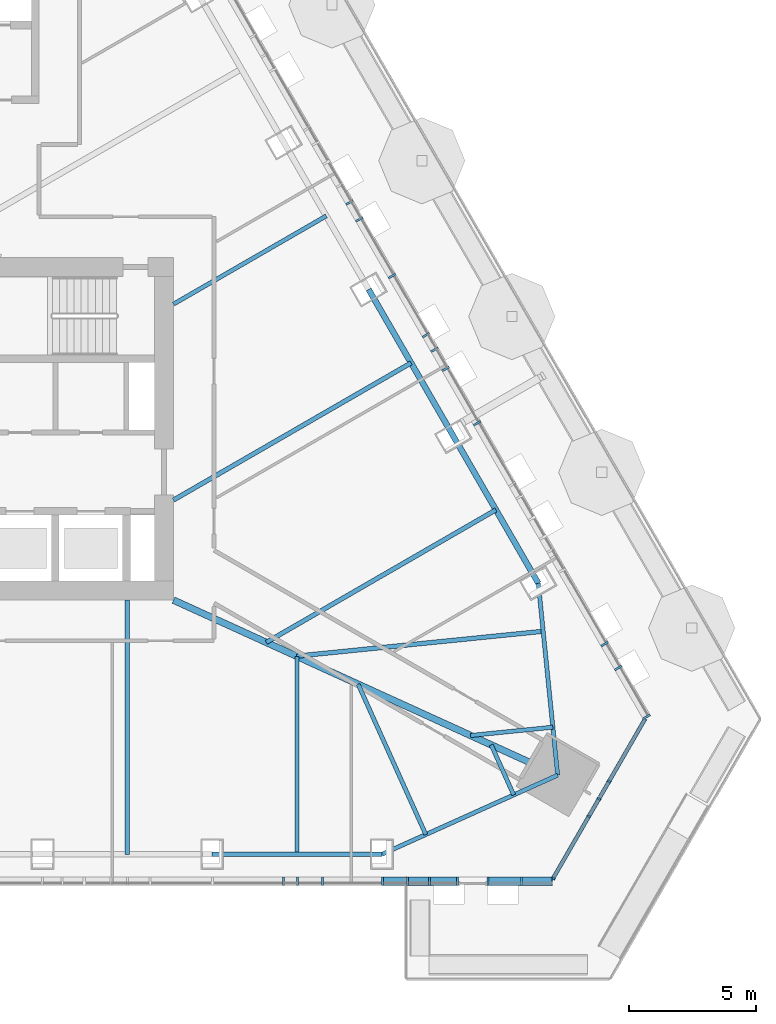
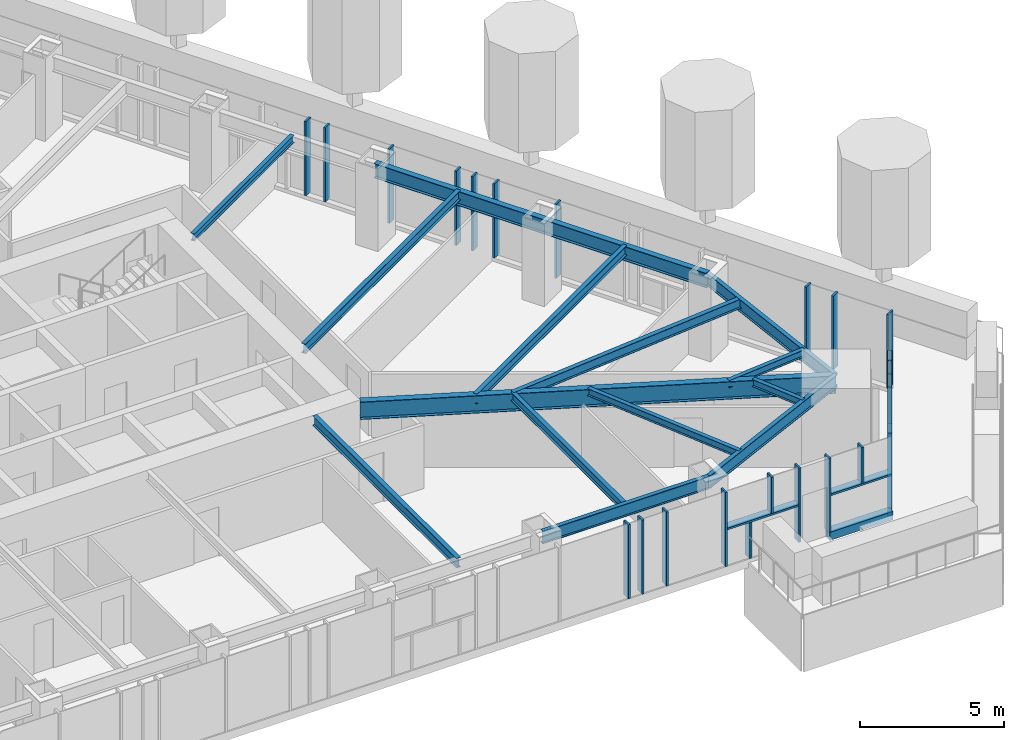
# One storey, part 5 of 24: 29 members, 14 beams, 3 elements without a shape of their own.
"""IFC4 building model written with IfcOpenShell, lengths in metres."""

from ifc_helpers import new_model, si_unit, direction, frame, origin, origin_2d, place, context, subcontext, project, spatial, rectangle, i_section, extrude, material, layer, layer_set, material_profile, profile_set, type_object, element, aggregate, save


model = new_model("IFC4")

# Units and contexts
model_context = context("Model", 3, precision=1e-05, world=origin(), true_north=direction((0.0, 1.0)))
body_context = subcontext(model_context, "Body", "Model", "MODEL_VIEW")
ifc_project = project(units=[si_unit("LENGTHUNIT", "METRE"), si_unit("AREAUNIT", "SQUARE_METRE"), si_unit("VOLUMEUNIT", "CUBIC_METRE"), si_unit("PLANEANGLEUNIT", "RADIAN"), si_unit("MASSUNIT", "GRAM", prefix="KILO")], contexts=[model_context])

# Site, building, storey
site_placement = place(None, origin())
site = spatial("IfcSite", under=ifc_project, at=site_placement, CompositionType="ELEMENT")
building_placement = place(site_placement, origin())
building = spatial("IfcBuilding", under=site, at=building_placement, Name="Firuza Gate Tower and Library", CompositionType="ELEMENT")
storey_placement = place(building_placement, frame((0.0, 0.0, 267.10009765625)))
storey = spatial("IfcBuildingStorey", under=building, at=storey_placement, Name="L63", CompositionType="ELEMENT", Elevation=267.10009765625)

# Curtain wall, members
ifc_material_1 = material(Name="Aluminium 6063-T6", Category="aluminium")
ifc_layer_1 = layer(ifc_material_1, 0.14990234375)
ifc_layer_set_1 = layer_set([ifc_layer_1], Name="Corner curtain wall, chamfers")
curtain_wall_type_1 = type_object("IfcCurtainWallType", Name="Corner curtain wall, chamfers", PredefinedType="NOTDEFINED", material=ifc_layer_set_1)
placement = place(storey_placement, origin())
curtain_wall_1 = element("IfcCurtainWall", 1, at=placement, inside=storey, type_object=curtain_wall_type_1, Name="CW4 L63 SE corner", PredefinedType="NOTDEFINED")
ifc_material_2 = material(Name="Aluminium 6063-T6", Category="aluminium")
ifc_material_profile_1 = material_profile(ifc_material_2, rectangle(XDim=0.14990234375, YDim=0.080078125, at=origin_2d()))
ifc_profile_set_1 = profile_set([ifc_material_profile_1], Name="Aluminium 6063-T6")
member_type_1 = type_object("IfcMemberType", Name="Curtain wall mullion 80x150", PredefinedType="MULLION", material=ifc_profile_set_1)
member_1_placement = place(storey_placement, frame((98.45263671875, 57.298828125, 0.14990234375), z_axis=(0.0, 0.0, 1.0), x_axis=(-0.866025403784, 0.5, 0.0)))
member_1 = element("IfcMember", 2, at=member_1_placement, type_object=member_type_1, Name="Mullion", PredefinedType="MULLION", context=body_context, shape_type="SweptSolid", body=[
    extrude(rectangle(XDim=0.14990234375, YDim=0.080078125, at=origin_2d()), origin(), (0.0, 0.0, 1.0), 3.14990234375),
])
member_2_placement = place(storey_placement, frame((100.25439453125, 60.41943359375, 0.14990234375), z_axis=(0.0, 0.0, 1.0), x_axis=(-0.866025403784, 0.5, 0.0)))
member_2 = element("IfcMember", 3, at=member_2_placement, type_object=member_type_1, Name="Mullion", PredefinedType="MULLION", context=body_context, shape_type="SweptSolid", body=[
    extrude(rectangle(XDim=0.14990234375, YDim=0.080078125, at=origin_2d()), origin(), (0.0, 0.0, 1.0), 3.14990234375),
])
member_3_placement = place(storey_placement, frame((99.85693359375, 59.731201171875, 1.764892578125), z_axis=(0.0, 0.0, 1.0), x_axis=(-0.866025403784, 0.5, 0.0)))
member_3 = element("IfcMember", 4, at=member_3_placement, type_object=member_type_1, Name="Mullion", PredefinedType="MULLION", context=body_context, shape_type="SweptSolid", body=[
    extrude(rectangle(XDim=0.14990234375, YDim=0.080078125, at=origin_2d()), origin(), (0.0, 0.0, 1.0), 1.534912109375),
])
member_4_placement = place(storey_placement, frame((100.651611328125, 61.107666015625, 1.764892578125), z_axis=(0.0, 0.0, 1.0), x_axis=(-0.866025403784, 0.5, 0.0)))
member_4 = element("IfcMember", 5, at=member_4_placement, type_object=member_type_1, Name="Mullion", PredefinedType="MULLION", context=body_context, shape_type="SweptSolid", body=[
    extrude(rectangle(XDim=0.14990234375, YDim=0.080078125, at=origin_2d()), origin(), (0.0, 0.0, 1.0), 1.534912109375),
])

ifc_material_3 = material(Name="Aluminium 6063-T6", Category="aluminium")
ifc_layer_2 = layer(ifc_material_3, 0.14990234375)
ifc_layer_set_2 = layer_set([ifc_layer_2], Name="Unitised curtain wall, residences")
curtain_wall_type_2 = type_object("IfcCurtainWallType", Name="Unitised curtain wall, residences", PredefinedType="NOTDEFINED", material=ifc_layer_set_2)
curtain_wall_2 = element("IfcCurtainWall", 6, at=placement, inside=storey, type_object=curtain_wall_type_2, Name="CW3 L63 S face", PredefinedType="NOTDEFINED")
ifc_material_4 = material(Name="Aluminium 6063-T6", Category="aluminium")
ifc_material_profile_2 = material_profile(ifc_material_4, rectangle(XDim=0.320068359375, YDim=0.080078125, at=origin_2d()))
ifc_profile_set_2 = profile_set([ifc_material_profile_2], Name="Aluminium 6063-T6")
member_type_2 = type_object("IfcMemberType", Name="Curtain wall mullion 80x320", PredefinedType="MULLION", material=ifc_profile_set_2)
member_5_placement = place(storey_placement, frame((88.39013671875, 57.17919921875, 0.14990234375), z_axis=(0.0, 0.0, 1.0), x_axis=(0.0, 1.0, 0.0)))
member_5 = element("IfcMember", 7, at=member_5_placement, type_object=member_type_2, Name="Mullion", PredefinedType="MULLION", context=body_context, shape_type="SweptSolid", body=[
    extrude(rectangle(XDim=0.320068359375, YDim=0.080078125, at=origin_2d()), origin(), (0.0, 0.0, 1.0), 3.14990234375),
])
member_6_placement = place(storey_placement, frame((91.737548828125, 57.17919921875, 0.14990234375), z_axis=(0.0, 0.0, 1.0), x_axis=(0.0, 1.0, 0.0)))
member_6 = element("IfcMember", 8, at=member_6_placement, type_object=member_type_2, Name="Mullion", PredefinedType="MULLION", context=body_context, shape_type="SweptSolid", body=[
    extrude(rectangle(XDim=0.320068359375, YDim=0.080078125, at=origin_2d()), origin(), (0.0, 0.0, 1.0), 3.14990234375),
])
member_7_placement = place(storey_placement, frame((94.6875, 57.17919921875, 0.14990234375), z_axis=(0.0, 0.0, 1.0), x_axis=(0.0, 1.0, 0.0)))
member_7 = element("IfcMember", 9, at=member_7_placement, type_object=member_type_2, Name="Mullion", PredefinedType="MULLION", context=body_context, shape_type="SweptSolid", body=[
    extrude(rectangle(XDim=0.320068359375, YDim=0.080078125, at=origin_2d()), origin(), (0.0, 0.0, 1.0), 3.14990234375),
])
member_8_placement = place(storey_placement, frame((95.8876953125, 57.17919921875, 0.14990234375), z_axis=(0.0, 0.0, 1.0), x_axis=(0.0, 1.0, 0.0)))
member_8 = element("IfcMember", 10, at=member_8_placement, type_object=member_type_2, Name="Mullion", PredefinedType="MULLION", context=body_context, shape_type="SweptSolid", body=[
    extrude(rectangle(XDim=0.320068359375, YDim=0.080078125, at=origin_2d()), origin(), (0.0, 0.0, 1.0), 3.14990234375),
])
member_9_placement = place(storey_placement, frame((87.83154296875, 57.17919921875, 0.14990234375), z_axis=(0.0, 0.0, 1.0), x_axis=(0.0, 1.0, 0.0)))
member_9 = element("IfcMember", 11, at=member_9_placement, type_object=member_type_2, Name="Mullion", PredefinedType="MULLION", context=body_context, shape_type="SweptSolid", body=[
    extrude(rectangle(XDim=0.320068359375, YDim=0.080078125, at=origin_2d()), origin(), (0.0, 0.0, 1.0), 3.14990234375),
])
member_10_placement = place(storey_placement, frame((89.368408203125, 57.17919921875, 0.14990234375), z_axis=(0.0, 0.0, 1.0), x_axis=(0.0, 1.0, 0.0)))
member_10 = element("IfcMember", 12, at=member_10_placement, type_object=member_type_2, Name="Mullion", PredefinedType="MULLION", context=body_context, shape_type="SweptSolid", body=[
    extrude(rectangle(XDim=0.320068359375, YDim=0.080078125, at=origin_2d()), origin(), (0.0, 0.0, 1.0), 3.14990234375),
])
member_11_placement = place(storey_placement, frame((92.71337890625, 57.17919921875, 0.14990234375), z_axis=(0.0, 0.0, 1.0), x_axis=(0.0, 1.0, 0.0)))
member_11 = element("IfcMember", 13, at=member_11_placement, type_object=member_type_2, Name="Mullion", PredefinedType="MULLION", context=body_context, shape_type="SweptSolid", body=[
    extrude(rectangle(XDim=0.320068359375, YDim=0.080078125, at=origin_2d()), origin(), (0.0, 0.0, 1.0), 1.534912109375),
])
member_12_placement = place(storey_placement, frame((93.585693359375, 57.17919921875, 1.764892578125), z_axis=(0.0, 0.0, 1.0), x_axis=(0.0, 1.0, 0.0)))
member_12 = element("IfcMember", 14, at=member_12_placement, type_object=member_type_2, Name="Mullion", PredefinedType="MULLION", context=body_context, shape_type="SweptSolid", body=[
    extrude(rectangle(XDim=0.320068359375, YDim=0.080078125, at=origin_2d()), origin(), (0.0, 0.0, 1.0), 1.534912109375),
])
member_13_placement = place(storey_placement, frame((97.21435546875, 57.17919921875, 1.764892578125), z_axis=(0.0, 0.0, 1.0), x_axis=(0.0, 1.0, 0.0)))
member_13 = element("IfcMember", 15, at=member_13_placement, type_object=member_type_2, Name="Mullion", PredefinedType="MULLION", context=body_context, shape_type="SweptSolid", body=[
    extrude(rectangle(XDim=0.320068359375, YDim=0.080078125, at=origin_2d()), origin(), (0.0, 0.0, 1.0), 1.534912109375),
])

curtain_wall_3 = element("IfcCurtainWall", 16, at=placement, inside=storey, type_object=curtain_wall_type_2, Name="CW3 L63 E face", PredefinedType="NOTDEFINED")
member_14_placement = place(storey_placement, frame((102.129638671875, 63.65185546875, 0.14990234375), z_axis=(0.0, 0.0, 1.0), x_axis=(-0.866025403784, -0.5, 0.0)))
member_14 = element("IfcMember", 17, at=member_14_placement, type_object=member_type_2, Name="Mullion", PredefinedType="MULLION", context=body_context, shape_type="SweptSolid", body=[
    extrude(rectangle(XDim=0.320068359375, YDim=0.080078125, at=origin_2d()), origin(), (0.0, 0.0, 1.0), 3.14990234375),
])
member_15_placement = place(storey_placement, frame((100.475830078125, 66.51611328125, 0.14990234375), z_axis=(0.0, 0.0, 1.0), x_axis=(-0.866025403784, -0.5, 0.0)))
member_15 = element("IfcMember", 18, at=member_15_placement, type_object=member_type_2, Name="Mullion", PredefinedType="MULLION", context=body_context, shape_type="SweptSolid", body=[
    extrude(rectangle(XDim=0.320068359375, YDim=0.080078125, at=origin_2d()), origin(), (0.0, 0.0, 1.0), 3.14990234375),
])
member_16_placement = place(storey_placement, frame((95.45458984375, 75.21337890625, 0.14990234375), z_axis=(0.0, 0.0, 1.0), x_axis=(-0.866025403784, -0.5, 0.0)))
member_16 = element("IfcMember", 19, at=member_16_placement, type_object=member_type_2, Name="Mullion", PredefinedType="MULLION", context=body_context, shape_type="SweptSolid", body=[
    extrude(rectangle(XDim=0.320068359375, YDim=0.080078125, at=origin_2d()), origin(), (0.0, 0.0, 1.0), 3.14990234375),
])
member_17_placement = place(storey_placement, frame((93.78076171875, 78.1123046875, 0.14990234375), z_axis=(0.0, 0.0, 1.0), x_axis=(-0.866025403784, -0.5, 0.0)))
member_17 = element("IfcMember", 20, at=member_17_placement, type_object=member_type_2, Name="Mullion", PredefinedType="MULLION", context=body_context, shape_type="SweptSolid", body=[
    extrude(rectangle(XDim=0.320068359375, YDim=0.080078125, at=origin_2d()), origin(), (0.0, 0.0, 1.0), 3.14990234375),
])
member_18_placement = place(storey_placement, frame((92.10693359375, 81.01123046875, 0.14990234375), z_axis=(0.0, 0.0, 1.0), x_axis=(-0.866025403784, -0.5, 0.0)))
member_18 = element("IfcMember", 21, at=member_18_placement, type_object=member_type_2, Name="Mullion", PredefinedType="MULLION", context=body_context, shape_type="SweptSolid", body=[
    extrude(rectangle(XDim=0.320068359375, YDim=0.080078125, at=origin_2d()), origin(), (0.0, 0.0, 1.0), 3.14990234375),
])
member_19_placement = place(storey_placement, frame((90.433349609375, 83.910400390625, 0.14990234375), z_axis=(0.0, 0.0, 1.0), x_axis=(-0.866025403784, -0.5, 0.0)))
member_19 = element("IfcMember", 22, at=member_19_placement, type_object=member_type_2, Name="Mullion", PredefinedType="MULLION", context=body_context, shape_type="SweptSolid", body=[
    extrude(rectangle(XDim=0.320068359375, YDim=0.080078125, at=origin_2d()), origin(), (0.0, 0.0, 1.0), 3.14990234375),
])
member_20_placement = place(storey_placement, frame((101.017578125, 65.577880859375, 0.14990234375), z_axis=(0.0, 0.0, 1.0), x_axis=(-0.866025403784, -0.5, 0.0)))
member_20 = element("IfcMember", 23, at=member_20_placement, type_object=member_type_2, Name="Mullion", PredefinedType="MULLION", context=body_context, shape_type="SweptSolid", body=[
    extrude(rectangle(XDim=0.320068359375, YDim=0.080078125, at=origin_2d()), origin(), (0.0, 0.0, 1.0), 3.14990234375),
])
member_21_placement = place(storey_placement, frame((94.217529296875, 77.35595703125, 0.14990234375), z_axis=(0.0, 0.0, 1.0), x_axis=(-0.866025403784, -0.5, 0.0)))
member_21 = element("IfcMember", 24, at=member_21_placement, type_object=member_type_2, Name="Mullion", PredefinedType="MULLION", context=body_context, shape_type="SweptSolid", body=[
    extrude(rectangle(XDim=0.320068359375, YDim=0.080078125, at=origin_2d()), origin(), (0.0, 0.0, 1.0), 3.14990234375),
])
member_22_placement = place(storey_placement, frame((93.448974609375, 78.68701171875, 0.14990234375), z_axis=(0.0, 0.0, 1.0), x_axis=(-0.866025403784, -0.5, 0.0)))
member_22 = element("IfcMember", 25, at=member_22_placement, type_object=member_type_2, Name="Mullion", PredefinedType="MULLION", context=body_context, shape_type="SweptSolid", body=[
    extrude(rectangle(XDim=0.320068359375, YDim=0.080078125, at=origin_2d()), origin(), (0.0, 0.0, 1.0), 3.14990234375),
])
member_23_placement = place(storey_placement, frame((90.8173828125, 83.244873046875, 0.14990234375), z_axis=(0.0, 0.0, 1.0), x_axis=(-0.866025403784, -0.5, 0.0)))
member_23 = element("IfcMember", 26, at=member_23_placement, type_object=member_type_2, Name="Mullion", PredefinedType="MULLION", context=body_context, shape_type="SweptSolid", body=[
    extrude(rectangle(XDim=0.320068359375, YDim=0.080078125, at=origin_2d()), origin(), (0.0, 0.0, 1.0), 3.14990234375),
])
aggregate(curtain_wall_3, [member_14, member_15, member_16, member_17, member_18, member_19, member_20, member_21, member_22, member_23])

# Member
ifc_material_5 = material(Name="Aluminium 6063-T6", Category="aluminium")
ifc_material_profile_3 = material_profile(ifc_material_5, rectangle(XDim=0.14990234375, YDim=0.35009765625, at=origin_2d()))
ifc_profile_set_3 = profile_set([ifc_material_profile_3], Name="Aluminium 6063-T6")
member_type_3 = type_object("IfcMemberType", Name="Curtain wall transom 350x150", PredefinedType="USERDEFINED", material=ifc_profile_set_3)
member_24_placement = place(storey_placement, frame((98.4326171875, 57.26416015625, -0.025146484375), z_axis=(0.499991211061, 0.866030478021, 0.0), x_axis=(-0.866030478021, 0.499991211061, 0.0)))
member_24 = element("IfcMember", 27, at=member_24_placement, type_object=member_type_3, Name="Transom", ObjectType="TRANSOM", PredefinedType="USERDEFINED", context=body_context, shape_type="SweptSolid", body=[
    extrude(rectangle(XDim=0.14990234375, YDim=0.35009765625, at=origin_2d()), origin(), (0.0, 0.0, 1.0), 7.286865234375),
])

ifc_material_6 = material(Name="Aluminium 6063-T6", Category="aluminium")
ifc_material_profile_4 = material_profile(ifc_material_6, rectangle(XDim=0.320068359375, YDim=0.35009765625, at=origin_2d()))
ifc_profile_set_4 = profile_set([ifc_material_profile_4], Name="Aluminium 6063-T6")
member_type_4 = type_object("IfcMemberType", Name="Curtain wall transom 350x320", PredefinedType="USERDEFINED", material=ifc_profile_set_4)
member_25_placement = place(storey_placement, frame((95.8876953125, 57.17919921875, -0.025146484375), z_axis=(1.0, 0.0, 0.0), x_axis=(0.0, 1.0, 0.0)))
member_25 = element("IfcMember", 28, at=member_25_placement, type_object=member_type_4, Name="Transom", ObjectType="TRANSOM", PredefinedType="USERDEFINED", context=body_context, shape_type="SweptSolid", body=[
    extrude(rectangle(XDim=0.320068359375, YDim=0.35009765625, at=origin_2d()), origin(), (0.0, 0.0, 1.0), 2.544921875),
])

ifc_material_7 = material(Name="Aluminium 6063-T6", Category="aluminium")
ifc_material_profile_5 = material_profile(ifc_material_7, rectangle(XDim=0.14990234375, YDim=0.080078125, at=origin_2d()))
ifc_profile_set_5 = profile_set([ifc_material_profile_5], Name="Aluminium 6063-T6")
member_type_5 = type_object("IfcMemberType", Name="Curtain wall transom 80x150", PredefinedType="USERDEFINED", material=ifc_profile_set_5)
member_26_placement = place(storey_placement, frame((98.45263671875, 57.298828125, 1.724853515625), z_axis=(0.500015035186, 0.866016723041, 0.0), x_axis=(-0.866016723041, 0.500015035186, 0.0)))
member_26 = element("IfcMember", 29, at=member_26_placement, type_object=member_type_5, Name="Transom", ObjectType="TRANSOM", PredefinedType="USERDEFINED", context=body_context, shape_type="SweptSolid", body=[
    extrude(rectangle(XDim=0.14990234375, YDim=0.080078125, at=origin_2d()), origin(), (0.0, 0.0, 1.0), 3.5634765625),
])

member_27_placement = place(storey_placement, frame((100.274169921875, 60.4541015625, 1.724853515625), z_axis=(0.500015035186, 0.866016723041, 0.0), x_axis=(-0.866016723041, 0.500015035186, 0.0)))
member_27 = element("IfcMember", 30, at=member_27_placement, type_object=member_type_5, Name="Transom", ObjectType="TRANSOM", PredefinedType="USERDEFINED", context=body_context, shape_type="SweptSolid", body=[
    extrude(rectangle(XDim=0.14990234375, YDim=0.080078125, at=origin_2d()), origin(), (0.0, 0.0, 1.0), 3.5634765625),
])

aggregate(curtain_wall_1, [member_1, member_2, member_24, member_3, member_26, member_4, member_27])

ifc_material_8 = material(Name="Aluminium 6063-T6", Category="aluminium")
ifc_material_profile_6 = material_profile(ifc_material_8, rectangle(XDim=0.320068359375, YDim=0.080078125, at=origin_2d()))
ifc_profile_set_6 = profile_set([ifc_material_profile_6], Name="Aluminium 6063-T6")
member_type_6 = type_object("IfcMemberType", Name="Curtain wall transom 80x320", PredefinedType="USERDEFINED", material=ifc_profile_set_6)
member_28_placement = place(storey_placement, frame((91.777587890625, 57.17919921875, 1.724853515625), z_axis=(1.0, 0.0, 0.0), x_axis=(0.0, 1.0, 0.0)))
member_28 = element("IfcMember", 31, at=member_28_placement, type_object=member_type_6, Name="Transom", ObjectType="TRANSOM", PredefinedType="USERDEFINED", context=body_context, shape_type="SweptSolid", body=[
    extrude(rectangle(XDim=0.320068359375, YDim=0.080078125, at=origin_2d()), origin(), (0.0, 0.0, 1.0), 2.8701171875),
])

member_29_placement = place(storey_placement, frame((95.927490234375, 57.17919921875, 1.724853515625), z_axis=(1.0, 0.0, 0.0), x_axis=(0.0, 1.0, 0.0)))
member_29 = element("IfcMember", 32, at=member_29_placement, type_object=member_type_6, Name="Transom", ObjectType="TRANSOM", PredefinedType="USERDEFINED", context=body_context, shape_type="SweptSolid", body=[
    extrude(rectangle(XDim=0.320068359375, YDim=0.080078125, at=origin_2d()), origin(), (0.0, 0.0, 1.0), 2.465087890625),
])

aggregate(curtain_wall_2, [member_5, member_6, member_7, member_8, member_25, member_9, member_10, member_11, member_12, member_28, member_13, member_29])

# Beams
ifc_material_9 = material(Name="Steel S355", Category="steel")
ifc_material_profile_7 = material_profile(ifc_material_9, i_section(OverallWidth=0.1650390625, OverallDepth=0.31005859375, WebThickness=0.005859375, FlangeThickness=0.009765625, at=origin_2d()))
ifc_profile_set_7 = profile_set([ifc_material_profile_7], Name="Steel S355")
beam_type_1 = type_object("IfcBeamType", Name="W310x39 Floor beam", PredefinedType="JOIST", material=ifc_profile_set_7)
beam_1_placement = place(storey_placement, frame((93.4375, 59.0185546875, 3.14501953125), z_axis=(-0.410569556243, 0.911829281986, 0.0), x_axis=(-0.911829281986, -0.410569556243, 0.0)))
element("IfcBeam", 33, at=beam_1_placement, inside=storey, type_object=beam_type_1, Name="Floor beam L63 s30", PredefinedType="JOIST", context=body_context, shape_type="SweptSolid", body=[
    extrude(i_section(OverallWidth=0.1650390625, OverallDepth=0.31005859375, WebThickness=0.005859375, FlangeThickness=0.009765625, at=origin_2d()), origin(), (0.0, 0.0, 1.0), 6.490478515625),
])
beam_2_placement = place(storey_placement, frame((96.8994140625, 60.577392578125, 3.14501953125), z_axis=(-0.41051012012, 0.911856041971, 0.0), x_axis=(-0.911856041971, -0.41051012012, 0.0)))
element("IfcBeam", 34, at=beam_2_placement, inside=storey, type_object=beam_type_1, Name="Floor beam L63 s31", PredefinedType="JOIST", context=body_context, shape_type="SweptSolid", body=[
    extrude(i_section(OverallWidth=0.1650390625, OverallDepth=0.31005859375, WebThickness=0.005859375, FlangeThickness=0.009765625, at=origin_2d()), origin(), (0.0, 0.0, 1.0), 2.16357421875),
])
beam_3_placement = place(storey_placement, frame((98.43994140625, 63.24560546875, 3.14501953125), z_axis=(-0.994958907801, -0.100283457198, 0.0), x_axis=(0.100283457198, -0.994958907801, 0.0)))
element("IfcBeam", 35, at=beam_3_placement, inside=storey, type_object=beam_type_1, Name="Floor beam L63 s40", PredefinedType="JOIST", context=body_context, shape_type="SweptSolid", body=[
    extrude(i_section(OverallWidth=0.1650390625, OverallDepth=0.31005859375, WebThickness=0.005859375, FlangeThickness=0.009765625, at=origin_2d()), origin(), (0.0, 0.0, 1.0), 3.2548828125),
])
beam_4_placement = place(storey_placement, frame((89.51513671875, 83.38037109375, 3.14501953125), z_axis=(-0.86602168897, -0.500006434191, 0.0), x_axis=(0.500006434191, -0.86602168897, 0.0)))
element("IfcBeam", 36, at=beam_4_placement, inside=storey, type_object=beam_type_1, Name="Floor beam L63 s52", PredefinedType="JOIST", context=body_context, shape_type="SweptSolid", body=[
    extrude(i_section(OverallWidth=0.1650390625, OverallDepth=0.31005859375, WebThickness=0.005859375, FlangeThickness=0.009765625, at=origin_2d()), origin(), (0.0, 0.0, 1.0), 6.94580078125),
])
ifc_material_10 = material(Name="Steel S355", Category="steel")
ifc_material_profile_8 = material_profile(ifc_material_10, i_section(OverallWidth=0.1708984375, OverallDepth=0.35498046875, WebThickness=0.007080078125, FlangeThickness=0.01171875, at=origin_2d()))
ifc_profile_set_8 = profile_set([ifc_material_profile_8], Name="Steel S355")
beam_type_2 = type_object("IfcBeamType", Name="W360x51 Floor beam", PredefinedType="JOIST", material=ifc_profile_set_8)
beam_5_placement = place(storey_placement, frame((88.365234375, 58.2392578125, 3.122314453125), z_axis=(0.0, 1.0, 0.0), x_axis=(-1.0, 0.0, 0.0)))
element("IfcBeam", 37, at=beam_5_placement, inside=storey, type_object=beam_type_2, Name="Floor beam L63 s24", PredefinedType="JOIST", context=body_context, shape_type="SweptSolid", body=[
    extrude(i_section(OverallWidth=0.1708984375, OverallDepth=0.35498046875, WebThickness=0.007080078125, FlangeThickness=0.01171875, at=origin_2d()), origin(), (0.0, 0.0, 1.0), 7.794189453125),
])
ifc_material_11 = material(Name="Steel S355", Category="steel")
ifc_material_profile_9 = material_profile(ifc_material_11, i_section(OverallWidth=0.177978515625, OverallDepth=0.406982421875, WebThickness=0.0078125, FlangeThickness=0.0126953125, at=origin_2d()))
ifc_profile_set_9 = profile_set([ifc_material_profile_9], Name="Steel S355")
beam_type_3 = type_object("IfcBeamType", Name="W410x60 Floor beam", PredefinedType="JOIST", material=ifc_profile_set_9)
beam_6_placement = place(storey_placement, frame((81.6826171875, 58.2392578125, 3.096435546875), z_axis=(0.0, 1.0, 0.0), x_axis=(-1.0, 0.0, 0.0)))
element("IfcBeam", 38, at=beam_6_placement, inside=storey, type_object=beam_type_3, Name="Floor beam L63 s23", PredefinedType="JOIST", context=body_context, shape_type="SweptSolid", body=[
    extrude(i_section(OverallWidth=0.177978515625, OverallDepth=0.406982421875, WebThickness=0.0078125, FlangeThickness=0.0126953125, at=origin_2d()), origin(), (0.0, 0.0, 1.0), 10.0107421875),
])
beam_7_placement = place(storey_placement, frame((98.05908203125, 67.023193359375, 3.096435546875), z_axis=(-0.994953917278, -0.100332958161, 0.0), x_axis=(0.100332958161, -0.994953917278, 0.0)))
element("IfcBeam", 39, at=beam_7_placement, inside=storey, type_object=beam_type_3, Name="Floor beam L63 s41", PredefinedType="JOIST", context=body_context, shape_type="SweptSolid", body=[
    extrude(i_section(OverallWidth=0.177978515625, OverallDepth=0.406982421875, WebThickness=0.0078125, FlangeThickness=0.0126953125, at=origin_2d()), origin(), (0.0, 0.0, 1.0), 9.764892578125),
])
beam_8_placement = place(storey_placement, frame((96.197998046875, 71.8056640625, 3.096435546875), z_axis=(-0.866025950195, -0.499999053588, 0.0), x_axis=(0.499999053588, -0.866025950195, 0.0)))
element("IfcBeam", 40, at=beam_8_placement, inside=storey, type_object=beam_type_3, Name="Floor beam L63 s50", PredefinedType="JOIST", context=body_context, shape_type="SweptSolid", body=[
    extrude(i_section(OverallWidth=0.177978515625, OverallDepth=0.406982421875, WebThickness=0.0078125, FlangeThickness=0.0126953125, at=origin_2d()), origin(), (0.0, 0.0, 1.0), 10.44189453125),
])
beam_9_placement = place(storey_placement, frame((92.856689453125, 77.593017578125, 3.096435546875), z_axis=(-0.866024905415, -0.5000008632, 0.0), x_axis=(0.5000008632, -0.866024905415, 0.0)))
element("IfcBeam", 41, at=beam_9_placement, inside=storey, type_object=beam_type_3, Name="Floor beam L63 s51", PredefinedType="JOIST", context=body_context, shape_type="SweptSolid", body=[
    extrude(i_section(OverallWidth=0.177978515625, OverallDepth=0.406982421875, WebThickness=0.0078125, FlangeThickness=0.0126953125, at=origin_2d()), origin(), (0.0, 0.0, 1.0), 10.80419921875),
])
ifc_material_12 = material(Name="Steel S355", Category="steel")
ifc_material_profile_10 = material_profile(ifc_material_12, i_section(OverallWidth=0.166015625, OverallDepth=0.534912109375, WebThickness=0.01025390625, FlangeThickness=0.0166015625, at=origin_2d()))
ifc_profile_set_10 = profile_set([ifc_material_profile_10], Name="Steel S355")
beam_type_4 = type_object("IfcBeamType", Name="W530x85 Edge beam", PredefinedType="SPANDREL", material=ifc_profile_set_10)
beam_10_placement = place(storey_placement, frame((85.02392578125, 58.2392578125, 3.032470703125), z_axis=(1.0, 0.0, 0.0), x_axis=(0.0, 1.0, 0.0)))
element("IfcBeam", 42, at=beam_10_placement, inside=storey, type_object=beam_type_4, Name="Edge beam L63 e24", PredefinedType="SPANDREL", context=body_context, shape_type="SweptSolid", body=[
    extrude(i_section(OverallWidth=0.166015625, OverallDepth=0.534912109375, WebThickness=0.01025390625, FlangeThickness=0.0166015625, at=origin_2d()), origin(), (0.0, 0.0, 1.0), 6.682861328125),
])
for number, where, z_axis, x_axis, name in (
    (43, (91.706787109375, 58.2392578125, 3.032470703125), (0.91181980498, 0.410590602969, 0.0), (-0.410590602969, 0.91181980498, 0.0), "Edge beam L63 e30"),
    (44, (98.63037109375, 61.35693359375, 3.032470703125), (-0.100315454149, 0.994955682259, 0.0), (-0.994955682259, -0.100315454149, 0.0), "Edge beam L63 e40"),
):
    element("IfcBeam", number, at=place(storey_placement, frame(where, z_axis=z_axis, x_axis=x_axis)), inside=storey, type_object=beam_type_4, Name=name, PredefinedType="SPANDREL", context=body_context, shape_type="SweptSolid", body=[
        extrude(i_section(OverallWidth=0.166015625, OverallDepth=0.534912109375, WebThickness=0.01025390625, FlangeThickness=0.0166015625, at=origin_2d()), origin(), (0.0, 0.0, 1.0), 7.59326171875),
    ])
ifc_material_13 = material(Name="Steel S355", Category="steel")
ifc_material_profile_11 = material_profile(ifc_material_13, i_section(OverallWidth=0.22900390625, OverallDepth=0.612060546875, WebThickness=0.011962890625, FlangeThickness=0.01953125, at=origin_2d()))
ifc_profile_set_11 = profile_set([ifc_material_profile_11], Name="Steel S355")
beam_type_5 = type_object("IfcBeamType", Name="W610x125 Edge beam", PredefinedType="SPANDREL", material=ifc_profile_set_11)
beam_11_placement = place(storey_placement, frame((97.86865234375, 68.911865234375, 2.993896484375), z_axis=(-0.500003375436, 0.866023454967, 0.0), x_axis=(-0.866023454967, -0.500003375436, 0.0)))
element("IfcBeam", 45, at=beam_11_placement, inside=storey, type_object=beam_type_5, Name="Edge beam L63 e50", PredefinedType="SPANDREL", context=body_context, shape_type="SweptSolid", body=[
    extrude(i_section(OverallWidth=0.22900390625, OverallDepth=0.612060546875, WebThickness=0.011962890625, FlangeThickness=0.01953125, at=origin_2d()), origin(), (0.0, 0.0, 1.0), 13.36572265625),
])
ifc_material_14 = material(Name="Steel S355", Category="steel")
ifc_material_profile_12 = material_profile(ifc_material_14, i_section(OverallWidth=0.264892578125, OverallDepth=0.7529296875, WebThickness=0.01318359375, FlangeThickness=0.01708984375, at=origin_2d()))
ifc_profile_set_12 = profile_set([ifc_material_profile_12], Name="Steel S355")
beam_type_6 = type_object("IfcBeamType", Name="W760x147 Girder", PredefinedType="BEAM", material=ifc_profile_set_12)
beam_12_placement = place(storey_placement, frame((98.63037109375, 61.35693359375, 2.92333984375), z_axis=(-0.910012124578, 0.414581636256, 0.0), x_axis=(-0.414581636256, -0.910012124578, 0.0)))
element("IfcBeam", 46, at=beam_12_placement, inside=storey, type_object=beam_type_6, Name="Girder L63 gSE", PredefinedType="BEAM", context=body_context, shape_type="SweptSolid", body=[
    extrude(i_section(OverallWidth=0.264892578125, OverallDepth=0.7529296875, WebThickness=0.01318359375, FlangeThickness=0.01708984375, at=origin_2d()), origin(), (0.0, 0.0, 1.0), 16.62646484375),
])

save(model, "model.ifc")
